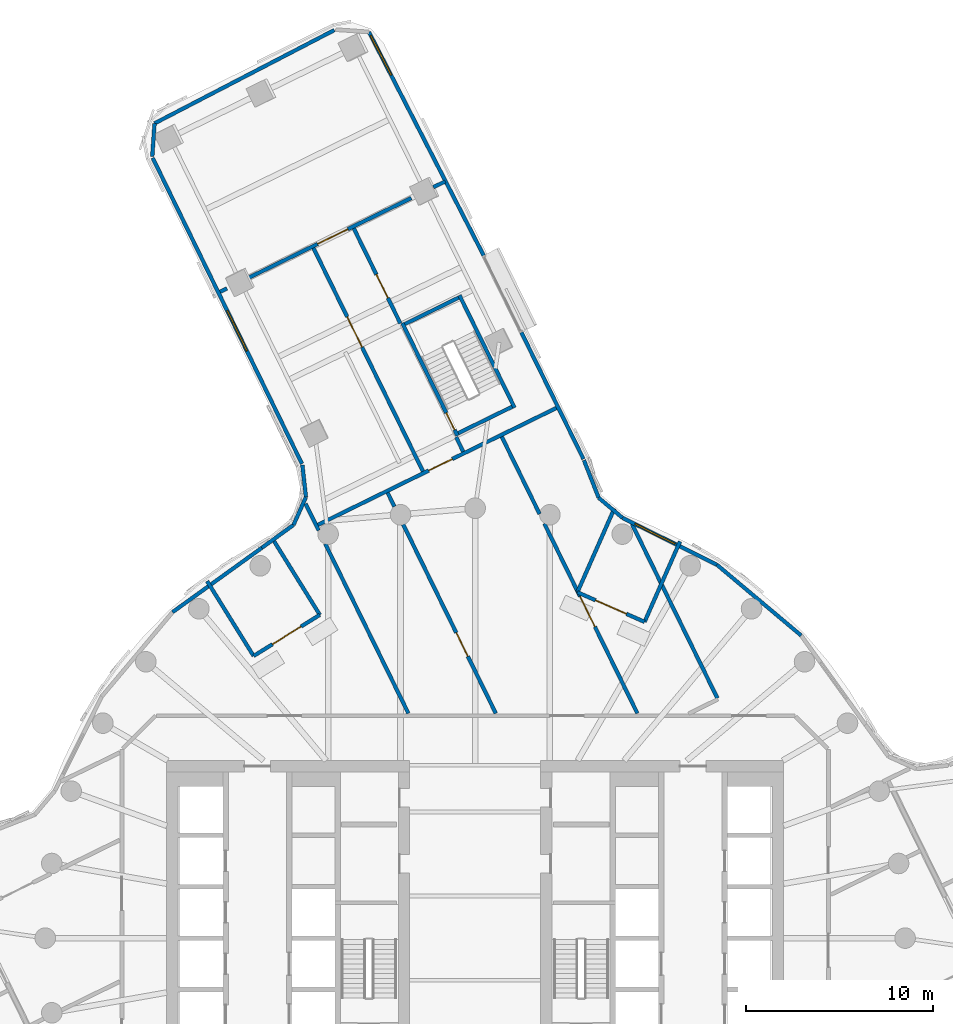
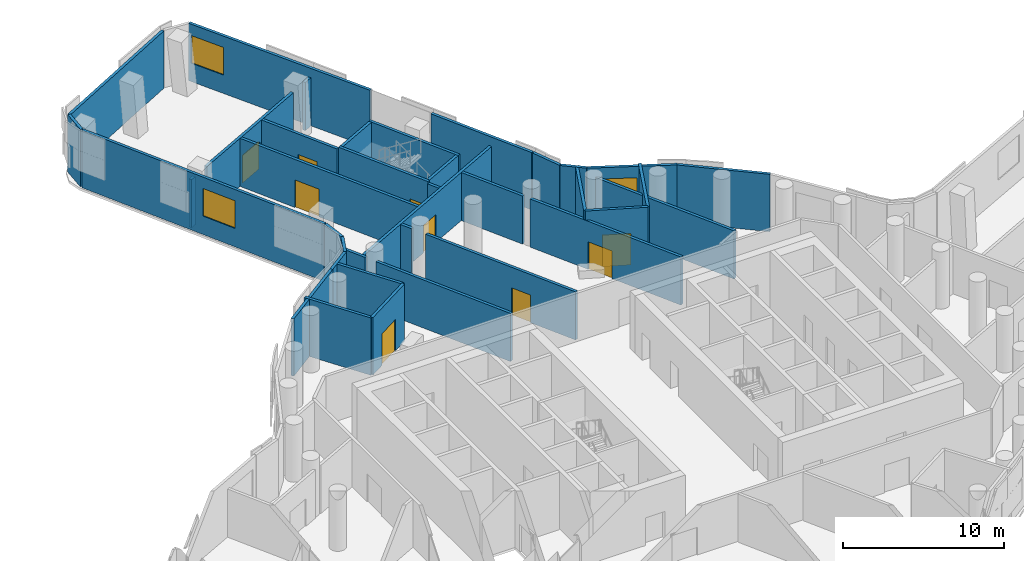
# One storey, part 15 of 23: 37 walls, 9 doors, 3 windows, 12 openings.
"""IFC4 building model written with IfcOpenShell, lengths in metres."""

from ifc_helpers import new_model, si_unit, direction, frame, frame_2d, origin, place, context, subcontext, project, spatial, polyline, rectangle, outline, extrude, material, layer, layer_set, type_object, element, fill, save


model = new_model("IFC4")

# Units and contexts
model_context = context("Model", 3, precision=1e-05, world=origin(), true_north=direction((0.0, 1.0)))
body_context = subcontext(model_context, "Body", "Model", "MODEL_VIEW")
ifc_project = project(units=[si_unit("LENGTHUNIT", "METRE"), si_unit("AREAUNIT", "SQUARE_METRE"), si_unit("VOLUMEUNIT", "CUBIC_METRE"), si_unit("PLANEANGLEUNIT", "RADIAN"), si_unit("MASSUNIT", "GRAM", prefix="KILO")], contexts=[model_context])

# Site, building, storey
site_placement = place(None, origin())
site = spatial("IfcSite", under=ifc_project, at=site_placement, CompositionType="ELEMENT")
building_placement = place(site_placement, origin())
building = spatial("IfcBuilding", under=site, at=building_placement, Name="Tamarind Cross Interchange Tower", CompositionType="ELEMENT")
storey_placement = place(building_placement, frame((0.0, 0.0, 128.5)))
storey = spatial("IfcBuildingStorey", under=building, at=storey_placement, Name="L31", CompositionType="ELEMENT", Elevation=128.5)

# Wall, opening, door
ifc_material_1 = material(Name="Concrete C40", Category="concrete")
ifc_layer_1 = layer(ifc_material_1, 0.199951171875)
ifc_layer_set_1 = layer_set([ifc_layer_1], Name="Concrete C40")
wall_type_1 = type_object("IfcWallType", Name="Balcony and garden door wall", PredefinedType="SOLIDWALL", material=ifc_layer_set_1)
wall_1_placement = place(storey_placement, frame((9.061279296875, 16.91796875, 0.0), z_axis=(0.0, 0.0, 1.0), x_axis=(-0.914869848832, 0.403748881978, 0.0)))
wall_1 = element("IfcWall", 1, at=wall_1_placement, inside=storey, type_object=wall_type_1, Name="EXW-L31-WG-L31-EN", PredefinedType="SOLIDWALL", context=body_context, shape_type="SweptSolid", body=[
    extrude(rectangle(XDim=3.9267578125, YDim=0.199951171875, at=frame_2d((1.96337890625, 0.0))), origin(), (0.0, 0.0, 1.0), 4.360107421875),
])
opening_1_placement = place(wall_1_placement, frame((1.0634765625, 0.0, 0.0)))
opening_1 = element("IfcOpeningElement", 2, at=opening_1_placement, cuts=wall_1, Name="Opening D5", PredefinedType="OPENING", context=body_context, shape_type="SweptSolid", body=[
    extrude(rectangle(XDim=1.800048828125, YDim=2.39990234375, at=frame_2d((0.89990234375, 1.199951171875))), frame((0.0, 0.10986328125, 0.0), z_axis=(0.0, -1.0, 0.0), x_axis=(1.0, 0.0, 0.0)), (0.0, 0.0, 1.0), 0.219970703125),
])
ifc_material_2 = material(Name="Aluminium and toughened glass", Category="aluminium")
door_type_1 = type_object("IfcDoorType", Name="Roof garden door", OperationType="DOUBLE_DOOR_SINGLE_SWING", PredefinedType="DOOR", material=ifc_material_2)
door_1_placement = place(opening_1_placement, origin())
door_1 = element("IfcDoor", 3, at=door_1_placement, inside=storey, type_object=door_type_1, Name="DOR-L31-WG-L31-EN", OperationType="SINGLE_SWING_LEFT", OverallHeight=2.39990234375, OverallWidth=1.800048828125, PredefinedType="DOOR", context=body_context, shape_type="SweptSolid", body=[
    extrude(rectangle(XDim=1.800048828125, YDim=2.39990234375, at=frame_2d((0.89990234375, 1.199951171875))), frame((0.0, 0.02490234375, 0.0), z_axis=(0.0, -1.0, 0.0), x_axis=(1.0, 0.0, 0.0)), (0.0, 0.0, 1.0), 0.050048828125),
])
fill(opening_1, door_1)

# Walls
wall_2_placement = place(storey_placement, frame((9.0615234375, 16.91796875, 0.0), z_axis=(0.0, 0.0, 1.0), x_axis=(0.403733506443, 0.914876634184, 0.0)))
element("IfcWall", 4, at=wall_2_placement, inside=storey, type_object=wall_type_1, Name="EXW-L31-WG-L31-EN-R0", PredefinedType="SOLIDWALL", context=body_context, shape_type="SweptSolid", body=[
    extrude(rectangle(XDim=4.702880859375, YDim=0.199951171875, at=frame_2d((2.3515625, 0.0))), origin(), (0.0, 0.0, 1.0), 4.360107421875),
])
wall_3_placement = place(storey_placement, frame((5.468505859375, 18.50341796875, 0.0), z_axis=(0.0, 0.0, 1.0), x_axis=(0.403691721509, 0.914895072664, 0.0)))
element("IfcWall", 5, at=wall_3_placement, inside=storey, type_object=wall_type_1, Name="EXW-L31-WG-L31-EN-R1", PredefinedType="SOLIDWALL", context=body_context, shape_type="SweptSolid", body=[
    extrude(rectangle(XDim=4.900390625, YDim=0.199951171875, at=frame_2d((2.4501953125, 0.0))), origin(), (0.0, 0.0, 1.0), 4.360107421875),
])

# Wall, opening, door
wall_4_placement = place(storey_placement, frame((-8.310791015625, 17.294677734375, 0.0), z_axis=(0.0, 0.0, 1.0), x_axis=(-0.849445624751, -0.52767616072, 0.0)))
wall_4 = element("IfcWall", 6, at=wall_4_placement, inside=storey, type_object=wall_type_1, Name="EXW-L31-WG-L31-NW", PredefinedType="SOLIDWALL", context=body_context, shape_type="SweptSolid", body=[
    extrude(rectangle(XDim=4.170166015625, YDim=0.199951171875, at=frame_2d((2.0849609375, 0.0))), origin(), (0.0, 0.0, 1.0), 4.360107421875),
])
opening_2_placement = place(wall_4_placement, frame((1.18505859375, 0.0, 0.0)))
opening_2 = element("IfcOpeningElement", 7, at=opening_2_placement, cuts=wall_4, Name="Opening D5", PredefinedType="OPENING", context=body_context, shape_type="SweptSolid", body=[
    extrude(rectangle(XDim=1.800048828125, YDim=2.39990234375, at=frame_2d((0.89990234375, 1.199951171875))), frame((0.0, 0.10986328125, 0.0), z_axis=(0.0, -1.0, 0.0), x_axis=(1.0, 0.0, 0.0)), (0.0, 0.0, 1.0), 0.219970703125),
])
door_2_placement = place(opening_2_placement, origin())
door_2 = element("IfcDoor", 8, at=door_2_placement, inside=storey, type_object=door_type_1, Name="DOR-L31-WG-L31-NW", OperationType="SINGLE_SWING_LEFT", OverallHeight=2.39990234375, OverallWidth=1.800048828125, PredefinedType="DOOR", context=body_context, shape_type="SweptSolid", body=[
    extrude(rectangle(XDim=1.800048828125, YDim=2.39990234375, at=frame_2d((0.89990234375, 1.199951171875))), frame((0.0, 0.02490234375, 0.0), z_axis=(0.0, -1.0, 0.0), x_axis=(1.0, 0.0, 0.0)), (0.0, 0.0, 1.0), 0.050048828125),
])
fill(opening_2, door_2)

# Walls
wall_5_placement = place(storey_placement, frame((-8.310791015625, 17.294677734375, 0.0), z_axis=(0.0, 0.0, 1.0), x_axis=(-0.527712449553, 0.84942308103, 0.0)))
element("IfcWall", 9, at=wall_5_placement, inside=storey, type_object=wall_type_1, Name="EXW-L31-WG-L31-NW-R0", PredefinedType="SOLIDWALL", context=body_context, shape_type="SweptSolid", body=[
    extrude(rectangle(XDim=4.745361328125, YDim=0.199951171875, at=frame_2d((2.37255859375, 0.0))), origin(), (0.0, 0.0, 1.0), 4.360107421875),
])
wall_6_placement = place(storey_placement, frame((-11.85302734375, 15.09423828125, 0.0), z_axis=(0.0, 0.0, 1.0), x_axis=(-0.527686600578, 0.849439139415, 0.0)))
element("IfcWall", 10, at=wall_6_placement, inside=storey, type_object=wall_type_1, Name="EXW-L31-WG-L31-NW-R1", PredefinedType="SOLIDWALL", context=body_context, shape_type="SweptSolid", body=[
    extrude(rectangle(XDim=4.711181640625, YDim=0.199951171875, at=frame_2d((2.35546875, 0.0))), origin(), (0.0, 0.0, 1.0), 4.360107421875),
])
ifc_material_3 = material(Name="Gypsum board partition on steel studs", Category="steel")
ifc_layer_2 = layer(ifc_material_3, 0.199951171875)
ifc_layer_set_2 = layer_set([ifc_layer_2], Name="Gypsum board partition on steel studs")
wall_type_2 = type_object("IfcWallType", Name="Partition 200 mm EI 180", PredefinedType="PARTITIONING", material=ifc_layer_set_2)
wall_7_placement = place(storey_placement, frame((-9.070556640625, 23.236083984375, 0.0), z_axis=(0.0, 0.0, 1.0), x_axis=(0.440237576132, -0.897881326547, 0.0)))
element("IfcWall", 11, at=wall_7_placement, inside=storey, type_object=wall_type_2, Name="Partition L31-006", PredefinedType="PARTITIONING", context=body_context, shape_type="SweptSolid", body=[
    extrude(rectangle(XDim=1.5849609375, YDim=0.199951171875, at=frame_2d((0.79248046875, 0.0))), origin(), (0.0, 0.0, 1.0), 3.659912109375),
])
wall_8_placement = place(storey_placement, frame((-8.020263671875, 21.093994140625, 0.0), z_axis=(0.0, 0.0, 1.0), x_axis=(0.440277206209, -0.897861894555, 0.0)))
element("IfcWall", 12, at=wall_8_placement, inside=storey, type_object=wall_type_2, Name="Partition L31-007", PredefinedType="PARTITIONING", context=body_context, shape_type="SweptSolid", body=[
    extrude(rectangle(XDim=10.099853515625, YDim=0.199951171875, at=frame_2d((5.0498046875, 0.0))), origin(), (0.0, 0.0, 1.0), 3.659912109375),
])

# Wall, opening, door
wall_9_placement = place(storey_placement, frame((-8.64990234375, 36.915283203125, 0.0), z_axis=(0.0, 0.0, 1.0), x_axis=(0.440298247992, -0.897851576161, 0.0)))
wall_9 = element("IfcWall", 13, at=wall_9_placement, inside=storey, type_object=wall_type_2, Name="Partition L31-010", PredefinedType="PARTITIONING", context=body_context, shape_type="SweptSolid", body=[
    extrude(rectangle(XDim=13.300048828125, YDim=0.199951171875, at=frame_2d((6.64990234375, 0.0))), origin(), (0.0, 0.0, 1.0), 3.659912109375),
])
opening_3_placement = place(wall_9_placement, frame((4.10009765625, 0.0, 0.0)))
opening_3 = element("IfcOpeningElement", 14, at=opening_3_placement, cuts=wall_9, Name="Opening D04", PredefinedType="OPENING", context=body_context, shape_type="SweptSolid", body=[
    extrude(rectangle(XDim=1.800048828125, YDim=2.10009765625, at=frame_2d((0.89990234375, 1.050048828125))), frame((0.0, 0.10986328125, 0.0), z_axis=(0.0, -1.0, 0.0), x_axis=(1.0, 0.0, 0.0)), (0.0, 0.0, 1.0), 0.219970703125),
])
ifc_material_4 = material(Name="Fire-resisting door set")
door_type_2 = type_object("IfcDoorType", Name="Interior door 1800 x 2100 FD120S", OperationType="DOUBLE_DOOR_SINGLE_SWING", PredefinedType="DOOR", material=ifc_material_4)
door_3_placement = place(opening_3_placement, frame((1.800048828125, 0.0, 0.0), z_axis=(0.0, 0.0, 1.0), x_axis=(-1.0, 0.0, 0.0)))
door_3 = element("IfcDoor", 15, at=door_3_placement, inside=storey, type_object=door_type_2, Name="Door D04", OperationType="DOUBLE_DOOR_SINGLE_SWING", OverallHeight=2.10009765625, OverallWidth=1.800048828125, PredefinedType="DOOR", context=body_context, shape_type="SweptSolid", body=[
    extrude(rectangle(XDim=1.800048828125, YDim=2.10009765625, at=frame_2d((0.89990234375, 1.050048828125))), frame((0.0, 0.02490234375, 0.0), z_axis=(0.0, -1.0, 0.0), x_axis=(1.0, 0.0, 0.0)), (0.0, 0.0, 1.0), 0.050048828125),
])
fill(opening_3, door_3)

wall_10_placement = place(storey_placement, frame((-6.4951171875, 37.97216796875, 0.0), z_axis=(0.0, 0.0, 1.0), x_axis=(0.440213125532, -0.897893314436, 0.0)))
wall_10 = element("IfcWall", 16, at=wall_10_placement, inside=storey, type_object=wall_type_2, Name="Partition L31-011", PredefinedType="PARTITIONING", context=body_context, shape_type="SweptSolid", body=[
    extrude(rectangle(XDim=5.66064453125, YDim=0.199951171875, at=frame_2d((2.830322265625, 0.0))), origin(), (0.0, 0.0, 1.0), 3.659912109375),
])
opening_4_placement = place(wall_10_placement, frame((2.75, 0.0, 0.0)))
opening_4 = element("IfcOpeningElement", 17, at=opening_4_placement, cuts=wall_10, Name="Opening D05", PredefinedType="OPENING", context=body_context, shape_type="SweptSolid", body=[
    extrude(rectangle(XDim=1.39990234375, YDim=2.10009765625, at=frame_2d((0.699951171875, 1.050048828125))), frame((0.0, 0.10986328125, 0.0), z_axis=(0.0, -1.0, 0.0), x_axis=(1.0, 0.0, 0.0)), (0.0, 0.0, 1.0), 0.219970703125),
])
door_type_3 = type_object("IfcDoorType", Name="Interior door 1400 x 2100 FD120S", OperationType="DOUBLE_DOOR_SINGLE_SWING", PredefinedType="DOOR", material=ifc_material_4)
door_4_placement = place(opening_4_placement, origin())
door_4 = element("IfcDoor", 18, at=door_4_placement, inside=storey, type_object=door_type_3, Name="Door D05", OperationType="DOUBLE_DOOR_SINGLE_SWING", OverallHeight=2.10009765625, OverallWidth=1.39990234375, PredefinedType="DOOR", context=body_context, shape_type="SweptSolid", body=[
    extrude(rectangle(XDim=1.39990234375, YDim=2.10009765625, at=frame_2d((0.699951171875, 1.050048828125))), frame((0.0, 0.02490234375, 0.0), z_axis=(0.0, -1.0, 0.0), x_axis=(1.0, 0.0, 0.0)), (0.0, 0.0, 1.0), 0.050048828125),
])
fill(opening_4, door_4)

# Walls
wall_11_placement = place(storey_placement, frame((-1.0185546875, 26.802001953125, 0.0), z_axis=(0.0, 0.0, 1.0), x_axis=(0.440273891661, -0.897863519874, 0.0)))
element("IfcWall", 19, at=wall_11_placement, inside=storey, type_object=wall_type_2, Name="Partition L31-012", PredefinedType="PARTITIONING", context=body_context, shape_type="SweptSolid", body=[
    extrude(rectangle(XDim=0.860107421875, YDim=0.199951171875, at=frame_2d((0.43017578125, 0.0))), origin(), (0.0, 0.0, 1.0), 3.659912109375),
])
wall_12_placement = place(storey_placement, frame((-4.681884765625, 23.8251953125, 0.0), z_axis=(0.0, 0.0, 1.0), x_axis=(0.440176037117, -0.897911496946, 0.0)))
element("IfcWall", 20, at=wall_12_placement, inside=storey, type_object=wall_type_2, Name="Partition L31-013", PredefinedType="PARTITIONING", context=body_context, shape_type="SweptSolid", body=[
    extrude(rectangle(XDim=0.8203125, YDim=0.199951171875, at=frame_2d((0.41015625, 0.0))), origin(), (0.0, 0.0, 1.0), 3.659912109375),
])

# Wall, opening, door
wall_13_placement = place(storey_placement, frame((-3.85009765625, 22.129150390625, 0.0), z_axis=(0.0, 0.0, 1.0), x_axis=(0.440292349425, -0.897854468741, 0.0)))
wall_13 = element("IfcWall", 21, at=wall_13_placement, inside=storey, type_object=wall_type_2, Name="Partition L31-014", PredefinedType="PARTITIONING", context=body_context, shape_type="SweptSolid", body=[
    extrude(rectangle(XDim=11.2529296875, YDim=0.199951171875, at=frame_2d((5.62646484375, 0.0))), origin(), (0.0, 0.0, 1.0), 3.659912109375),
])
opening_5_placement = place(wall_13_placement, frame((6.449951171875, 0.0, 0.0)))
opening_5 = element("IfcOpeningElement", 22, at=opening_5_placement, cuts=wall_13, Name="Opening D06", PredefinedType="OPENING", context=body_context, shape_type="SweptSolid", body=[
    extrude(rectangle(XDim=1.39990234375, YDim=2.10009765625, at=frame_2d((0.699951171875, 1.050048828125))), frame((0.0, 0.10986328125, 0.0), z_axis=(0.0, -1.0, 0.0), x_axis=(1.0, 0.0, 0.0)), (0.0, 0.0, 1.0), 0.219970703125),
])
door_5_placement = place(opening_5_placement, frame((1.39990234375, 0.0, 0.0), z_axis=(0.0, 0.0, 1.0), x_axis=(-1.0, 0.0, 0.0)))
door_5 = element("IfcDoor", 23, at=door_5_placement, inside=storey, type_object=door_type_3, Name="Door D06", OperationType="DOUBLE_DOOR_SINGLE_SWING", OverallHeight=2.10009765625, OverallWidth=1.39990234375, PredefinedType="DOOR", context=body_context, shape_type="SweptSolid", body=[
    extrude(rectangle(XDim=1.39990234375, YDim=2.10009765625, at=frame_2d((0.699951171875, 1.050048828125))), frame((0.0, 0.02490234375, 0.0), z_axis=(0.0, -1.0, 0.0), x_axis=(1.0, 0.0, 0.0)), (0.0, 0.0, 1.0), 0.050048828125),
])
fill(opening_5, door_5)

# Wall
wall_14_placement = place(storey_placement, frame((1.424072265625, 26.819091796875, 0.0), z_axis=(0.0, 0.0, 1.0), x_axis=(0.44020427787, -0.897897652155, 0.0)))
element("IfcWall", 24, at=wall_14_placement, inside=storey, type_object=wall_type_2, Name="Partition L31-020", PredefinedType="PARTITIONING", context=body_context, shape_type="SweptSolid", body=[
    extrude(rectangle(XDim=4.5927734375, YDim=0.199951171875, at=frame_2d((2.29638671875, 0.0))), origin(), (0.0, 0.0, 1.0), 3.659912109375),
])

# Wall, opening, door
wall_15_placement = place(storey_placement, frame((3.69775390625, 22.181640625, 0.0), z_axis=(0.0, 0.0, 1.0), x_axis=(0.440250027458, -0.897875221466, 0.0)))
wall_15 = element("IfcWall", 25, at=wall_15_placement, inside=storey, type_object=wall_type_2, Name="Partition L31-021", PredefinedType="PARTITIONING", context=body_context, shape_type="SweptSolid", body=[
    extrude(rectangle(XDim=11.31103515625, YDim=0.199951171875, at=frame_2d((5.655517578125, 0.0))), origin(), (0.0, 0.0, 1.0), 3.659912109375),
])
opening_6_placement = place(wall_15_placement, frame((4.35009765625, 0.0, 0.0)))
opening_6 = element("IfcOpeningElement", 26, at=opening_6_placement, cuts=wall_15, Name="Opening D11", PredefinedType="OPENING", context=body_context, shape_type="SweptSolid", body=[
    extrude(rectangle(XDim=1.800048828125, YDim=2.10009765625, at=frame_2d((0.89990234375, 1.050048828125))), frame((0.0, 0.10986328125, 0.0), z_axis=(0.0, -1.0, 0.0), x_axis=(1.0, 0.0, 0.0)), (0.0, 0.0, 1.0), 0.219970703125),
])
door_6_placement = place(opening_6_placement, origin())
door_6 = element("IfcDoor", 27, at=door_6_placement, inside=storey, type_object=door_type_2, Name="Door D11", OperationType="DOUBLE_DOOR_SINGLE_SWING", OverallHeight=2.10009765625, OverallWidth=1.800048828125, PredefinedType="DOOR", context=body_context, shape_type="SweptSolid", body=[
    extrude(rectangle(XDim=1.800048828125, YDim=2.10009765625, at=frame_2d((0.89990234375, 1.050048828125))), frame((0.0, 0.02490234375, 0.0), z_axis=(0.0, -1.0, 0.0), x_axis=(1.0, 0.0, 0.0)), (0.0, 0.0, 1.0), 0.050048828125),
])
fill(opening_6, door_6)

# Walls
wall_16_placement = place(storey_placement, frame((8.381591796875, 22.169921875, 0.0), z_axis=(0.0, 0.0, 1.0), x_axis=(0.44020582269, -0.897896894788, 0.0)))
element("IfcWall", 28, at=wall_16_placement, inside=storey, type_object=wall_type_2, Name="Partition L31-027", PredefinedType="PARTITIONING", context=body_context, shape_type="SweptSolid", body=[
    extrude(rectangle(XDim=10.402099609375, YDim=0.199951171875, at=frame_2d((5.201171875, 0.0))), origin(), (0.0, 0.0, 1.0), 3.659912109375),
])
wall_17_placement = place(storey_placement, frame((-13.644775390625, 34.57763671875, 0.0), z_axis=(0.0, 0.0, 1.0), x_axis=(0.897995038832, 0.440005579775, 0.0)))
element("IfcWall", 29, at=wall_17_placement, inside=storey, type_object=wall_type_2, Name="Partition L31-046", PredefinedType="PARTITIONING", context=body_context, shape_type="SweptSolid", body=[
    extrude(rectangle(XDim=0.4072265625, YDim=0.199951171875, at=frame_2d((0.20361328125, 0.0))), origin(), (0.0, 0.0, 1.0), 3.659912109375),
])

# Wall, opening, door
wall_18_placement = place(storey_placement, frame((-12.097900390625, 35.336181640625, 0.0), z_axis=(0.0, 0.0, 1.0), x_axis=(0.897885682266, 0.440228692366, 0.0)))
wall_18 = element("IfcWall", 30, at=wall_18_placement, inside=storey, type_object=wall_type_2, Name="Partition L31-047", PredefinedType="PARTITIONING", context=body_context, shape_type="SweptSolid", body=[
    extrude(rectangle(XDim=9.665771484375, YDim=0.199951171875, at=frame_2d((4.8330078125, 0.0))), origin(), (0.0, 0.0, 1.0), 3.659912109375),
])
opening_7_placement = place(wall_18_placement, frame((4.0908203125, 0.0, 0.0)))
opening_7 = element("IfcOpeningElement", 31, at=opening_7_placement, cuts=wall_18, Name="Opening D26", PredefinedType="OPENING", context=body_context, shape_type="SweptSolid", body=[
    extrude(rectangle(XDim=1.800048828125, YDim=2.10009765625, at=frame_2d((0.89990234375, 1.050048828125))), frame((0.0, 0.10986328125, 0.0), z_axis=(0.0, -1.0, 0.0), x_axis=(1.0, 0.0, 0.0)), (0.0, 0.0, 1.0), 0.219970703125),
])
door_7_placement = place(opening_7_placement, origin())
door_7 = element("IfcDoor", 32, at=door_7_placement, inside=storey, type_object=door_type_2, Name="Door D26", OperationType="DOUBLE_DOOR_SINGLE_SWING", OverallHeight=2.10009765625, OverallWidth=1.800048828125, PredefinedType="DOOR", context=body_context, shape_type="SweptSolid", body=[
    extrude(rectangle(XDim=1.800048828125, YDim=2.10009765625, at=frame_2d((0.89990234375, 1.050048828125))), frame((0.0, 0.02490234375, 0.0), z_axis=(0.0, -1.0, 0.0), x_axis=(1.0, 0.0, 0.0)), (0.0, 0.0, 1.0), 0.050048828125),
])
fill(opening_7, door_7)

# Wall
wall_19_placement = place(storey_placement, frame((-2.236572265625, 40.171142578125, 0.0), z_axis=(0.0, 0.0, 1.0), x_axis=(0.897920722727, 0.440157217023, 0.0)))
element("IfcWall", 33, at=wall_19_placement, inside=storey, type_object=wall_type_2, Name="Partition L31-048", PredefinedType="PARTITIONING", context=body_context, shape_type="SweptSolid", body=[
    extrude(rectangle(XDim=0.707275390625, YDim=0.199951171875, at=frame_2d((0.353515625, 0.0))), origin(), (0.0, 0.0, 1.0), 3.659912109375),
])

# Wall, opening, door
wall_20_placement = place(storey_placement, frame((-8.4072265625, 22.110107421875, 0.0), z_axis=(0.0, 0.0, 1.0), x_axis=(0.897880211861, 0.440239849569, 0.0)))
wall_20 = element("IfcWall", 34, at=wall_20_placement, inside=storey, type_object=wall_type_2, Name="Partition L31-050", PredefinedType="PARTITIONING", context=body_context, shape_type="SweptSolid", body=[
    extrude(rectangle(XDim=14.198974609375, YDim=0.199951171875, at=frame_2d((7.099609375, 0.0))), origin(), (0.0, 0.0, 1.0), 3.659912109375),
])
opening_8_placement = place(wall_20_placement, frame((6.6005859375, 0.0, 0.0)))
opening_8 = element("IfcOpeningElement", 35, at=opening_8_placement, cuts=wall_20, Name="Opening D27", PredefinedType="OPENING", context=body_context, shape_type="SweptSolid", body=[
    extrude(rectangle(XDim=1.39990234375, YDim=2.10009765625, at=frame_2d((0.699951171875, 1.050048828125))), frame((0.0, 0.10986328125, 0.0), z_axis=(0.0, -1.0, 0.0), x_axis=(1.0, 0.0, 0.0)), (0.0, 0.0, 1.0), 0.219970703125),
])
door_8_placement = place(opening_8_placement, frame((1.39990234375, 0.0, 0.0), z_axis=(0.0, 0.0, 1.0), x_axis=(-1.0, 0.0, 0.0)))
door_8 = element("IfcDoor", 36, at=door_8_placement, inside=storey, type_object=door_type_3, Name="Door D27", OperationType="DOUBLE_DOOR_SINGLE_SWING", OverallHeight=2.10009765625, OverallWidth=1.39990234375, PredefinedType="DOOR", context=body_context, shape_type="SweptSolid", body=[
    extrude(rectangle(XDim=1.39990234375, YDim=2.10009765625, at=frame_2d((0.699951171875, 1.050048828125))), frame((0.0, 0.02490234375, 0.0), z_axis=(0.0, -1.0, 0.0), x_axis=(1.0, 0.0, 0.0)), (0.0, 0.0, 1.0), 0.050048828125),
])
fill(opening_8, door_8)

# Wall
ifc_material_5 = material(Name="Precast concrete C40", Category="concrete")
ifc_layer_3 = layer(ifc_material_5, 0.199951171875)
ifc_layer_set_3 = layer_set([ifc_layer_3], Name="Precast concrete C40")
wall_type_3 = type_object("IfcWallType", Name="Refuge level external wall", PredefinedType="SOLIDWALL", material=ifc_layer_set_3)
wall_21_placement = place(storey_placement, frame((17.4375, 16.191650390625, 0.0), z_axis=(0.0, 0.0, 1.0), x_axis=(-0.765856810589, 0.643011155171, 0.0)))
element("IfcWall", 37, at=wall_21_placement, inside=storey, type_object=wall_type_3, Name="RFW-L31-10-04", PredefinedType="SOLIDWALL", context=body_context, shape_type="SweptSolid", body=[
    extrude(rectangle(XDim=5.88671875, YDim=0.199951171875, at=frame_2d((2.943359375, 0.0))), origin(), (0.0, 0.0, 1.0), 4.360107421875),
])

# Wall, opening, window
wall_22_placement = place(storey_placement, frame((12.92919921875, 19.976806640625, 0.0), z_axis=(0.0, 0.0, 1.0), x_axis=(-0.895567986727, 0.444924691548, 0.0)))
wall_22 = element("IfcWall", 38, at=wall_22_placement, inside=storey, type_object=wall_type_3, Name="RFW-L31-10-05", PredefinedType="SOLIDWALL", context=body_context, shape_type="SweptSolid", body=[
    extrude(rectangle(XDim=5.635498046875, YDim=0.199951171875, at=frame_2d((2.81787109375, 0.0))), origin(), (0.0, 0.0, 1.0), 4.360107421875),
])
opening_9_placement = place(wall_22_placement, frame((2.5, 0.0, 1.39990234375)))
opening_9 = element("IfcOpeningElement", 39, at=opening_9_placement, cuts=wall_22, Name="Opening W3", PredefinedType="OPENING", context=body_context, shape_type="SweptSolid", body=[
    extrude(rectangle(XDim=2.39990234375, YDim=2.10009765625, at=frame_2d((1.199951171875, 1.050048828125))), frame((0.0, 0.10986328125, 0.0), z_axis=(0.0, -1.0, 0.0), x_axis=(1.0, 0.0, 0.0)), (0.0, 0.0, 1.0), 0.219970703125),
])
ifc_material_6 = material(Name="Aluminium and fire-resisting glass", Category="aluminium")
window_type = type_object("IfcWindowType", Name="Refuge rescue window", PartitioningType="DOUBLE_PANEL_VERTICAL", PredefinedType="WINDOW", material=ifc_material_6)
window_1_placement = place(opening_9_placement, origin())
window_1 = element("IfcWindow", 40, at=window_1_placement, inside=storey, type_object=window_type, Name="RSW-L31-10-00", OverallHeight=2.10009765625, OverallWidth=2.39990234375, PartitioningType="SINGLE_PANEL", PredefinedType="WINDOW", context=body_context, shape_type="SweptSolid", body=[
    extrude(rectangle(XDim=2.39990234375, YDim=2.10009765625, at=frame_2d((1.199951171875, 1.050048828125))), frame((0.0, 0.030029296875, 0.0), z_axis=(0.0, -1.0, 0.0), x_axis=(1.0, 0.0, 0.0)), (0.0, 0.0, 1.0), 0.06005859375),
])
fill(opening_9, window_1)

# Walls
wall_23_placement = place(storey_placement, frame((7.88232421875, 22.484130859375, 0.0), z_axis=(0.0, 0.0, 1.0), x_axis=(-0.765040402091, 0.643982284825, 0.0)))
element("IfcWall", 41, at=wall_23_placement, inside=storey, type_object=wall_type_3, Name="RFW-L31-10-06", PredefinedType="SOLIDWALL", context=body_context, shape_type="SweptSolid", body=[
    extrude(rectangle(XDim=1.665771484375, YDim=0.199951171875, at=frame_2d((0.8330078125, 0.0))), origin(), (0.0, 0.0, 1.0), 4.360107421875),
])
wall_24_placement = place(storey_placement, frame((6.60791015625, 23.556884765625, 0.0), z_axis=(0.0, 0.0, 1.0), x_axis=(-0.364931951145, 0.931034194342, 0.0)))
element("IfcWall", 42, at=wall_24_placement, inside=storey, type_object=wall_type_3, Name="RFW-L31-10-07", PredefinedType="SOLIDWALL", context=body_context, shape_type="SweptSolid", body=[
    extrude(rectangle(XDim=2.16015625, YDim=0.199951171875, at=frame_2d((1.080078125, 0.0))), origin(), (0.0, 0.0, 1.0), 4.360107421875),
])
wall_25_placement = place(storey_placement, frame((5.79248046875, 25.63232421875, 0.0), z_axis=(0.0, 0.0, 1.0), x_axis=(-0.440253838477, 0.897873352821, 0.0)))
element("IfcWall", 43, at=wall_25_placement, inside=storey, type_object=wall_type_3, Name="RFW-L31-11-00", PredefinedType="SOLIDWALL", context=body_context, shape_type="SweptSolid", body=[
    extrude(rectangle(XDim=7.549560546875, YDim=0.199951171875, at=frame_2d((3.77490234375, 0.0))), origin(), (0.0, 0.0, 1.0), 4.360107421875),
])

# Wall, opening, window
wall_26_placement = place(storey_placement, frame((0.455322265625, 36.516845703125, 0.0), z_axis=(0.0, 0.0, 1.0), x_axis=(-0.456688565202, 0.889626637649, 0.0)))
wall_26 = element("IfcWall", 44, at=wall_26_placement, inside=storey, type_object=wall_type_3, Name="RFW-L31-11-10", PredefinedType="SOLIDWALL", context=body_context, shape_type="SweptSolid", body=[
    extrude(rectangle(XDim=13.445556640625, YDim=0.199951171875, at=frame_2d((6.72265625, 0.0))), origin(), (0.0, 0.0, 1.0), 4.360107421875),
])
opening_10_placement = place(wall_26_placement, frame((10.845458984375, 0.0, 1.39990234375)))
opening_10 = element("IfcOpeningElement", 45, at=opening_10_placement, cuts=wall_26, Name="Opening W3", PredefinedType="OPENING", context=body_context, shape_type="SweptSolid", body=[
    extrude(rectangle(XDim=2.39990234375, YDim=2.10009765625, at=frame_2d((1.199951171875, 1.050048828125))), frame((0.0, 0.10986328125, 0.0), z_axis=(0.0, -1.0, 0.0), x_axis=(1.0, 0.0, 0.0)), (0.0, 0.0, 1.0), 0.219970703125),
])
window_2_placement = place(opening_10_placement, origin())
window_2 = element("IfcWindow", 46, at=window_2_placement, inside=storey, type_object=window_type, Name="RSW-L31-11-05", OverallHeight=2.10009765625, OverallWidth=2.39990234375, PartitioningType="SINGLE_PANEL", PredefinedType="WINDOW", context=body_context, shape_type="SweptSolid", body=[
    extrude(rectangle(XDim=2.39990234375, YDim=2.10009765625, at=frame_2d((1.199951171875, 1.050048828125))), frame((0.0, 0.030029296875, 0.0), z_axis=(0.0, -1.0, 0.0), x_axis=(1.0, 0.0, 0.0)), (0.0, 0.0, 1.0), 0.06005859375),
])
fill(opening_10, window_2)

# Walls
wall_27_placement = place(storey_placement, frame((-7.536376953125, 48.57666015625, 0.0), z_axis=(0.0, 0.0, 1.0), x_axis=(-0.887596553779, -0.460621707825, 0.0)))
element("IfcWall", 47, at=wall_27_placement, inside=storey, type_object=wall_type_3, Name="RFW-L31-12-00", PredefinedType="SOLIDWALL", context=body_context, shape_type="SweptSolid", body=[
    extrude(rectangle(XDim=10.833251953125, YDim=0.199951171875, at=frame_2d((5.41650390625, 0.0))), origin(), (0.0, 0.0, 1.0), 4.360107421875),
])
wall_28_placement = place(storey_placement, frame((-17.15185546875, 43.586669921875, 0.0), z_axis=(0.0, 0.0, 1.0), x_axis=(-0.069376144823, -0.997590572595, 0.0)))
element("IfcWall", 48, at=wall_28_placement, inside=storey, type_object=wall_type_3, Name="RFW-L31-12-01", PredefinedType="SOLIDWALL", context=body_context, shape_type="SweptSolid", body=[
    extrude(rectangle(XDim=1.78076171875, YDim=0.199951171875, at=frame_2d((0.890380859375, 0.0))), origin(), (0.0, 0.0, 1.0), 4.360107421875),
])

# Wall, opening, window
wall_29_placement = place(storey_placement, frame((-17.250244140625, 41.735107421875, 0.0), z_axis=(0.0, 0.0, 1.0), x_axis=(0.43857585016, -0.898694176935, 0.0)))
wall_29 = element("IfcWall", 49, at=wall_29_placement, inside=storey, type_object=wall_type_3, Name="RFW-L31-13-00", PredefinedType="SOLIDWALL", context=body_context, shape_type="SweptSolid", body=[
    extrude(rectangle(XDim=18.20068359375, YDim=0.199951171875, at=frame_2d((9.100341796875, 0.0))), origin(), (0.0, 0.0, 1.0), 4.360107421875),
])
opening_11_placement = place(wall_29_placement, frame((9.090576171875, 0.0, 1.39990234375)))
opening_11 = element("IfcOpeningElement", 50, at=opening_11_placement, cuts=wall_29, Name="Opening W3", PredefinedType="OPENING", context=body_context, shape_type="SweptSolid", body=[
    extrude(rectangle(XDim=2.39990234375, YDim=2.10009765625, at=frame_2d((1.199951171875, 1.050048828125))), frame((0.0, 0.10986328125, 0.0), z_axis=(0.0, -1.0, 0.0), x_axis=(1.0, 0.0, 0.0)), (0.0, 0.0, 1.0), 0.219970703125),
])
window_3_placement = place(opening_11_placement, origin())
window_3 = element("IfcWindow", 51, at=window_3_placement, inside=storey, type_object=window_type, Name="RSW-L31-13-02", OverallHeight=2.10009765625, OverallWidth=2.39990234375, PartitioningType="SINGLE_PANEL", PredefinedType="WINDOW", context=body_context, shape_type="SweptSolid", body=[
    extrude(rectangle(XDim=2.39990234375, YDim=2.10009765625, at=frame_2d((1.199951171875, 1.050048828125))), frame((0.0, 0.030029296875, 0.0), z_axis=(0.0, -1.0, 0.0), x_axis=(1.0, 0.0, 0.0)), (0.0, 0.0, 1.0), 0.06005859375),
])
fill(opening_11, window_3)

# Walls
wall_30_placement = place(storey_placement, frame((-9.244384765625, 25.31298828125, 0.0), z_axis=(0.0, 0.0, 1.0), x_axis=(0.109471500068, -0.993989934895, 0.0)))
element("IfcWall", 52, at=wall_30_placement, inside=storey, type_object=wall_type_3, Name="RFW-L31-14-00", PredefinedType="SOLIDWALL", context=body_context, shape_type="SweptSolid", body=[
    extrude(rectangle(XDim=1.730712890625, YDim=0.199951171875, at=frame_2d((0.865234375, 0.0))), origin(), (0.0, 0.0, 1.0), 4.360107421875),
])
wall_31_placement = place(storey_placement, frame((-9.054931640625, 23.5927734375, 0.0), z_axis=(0.0, 0.0, 1.0), x_axis=(-0.407568379485, -0.913174690869, 0.0)))
element("IfcWall", 53, at=wall_31_placement, inside=storey, type_object=wall_type_3, Name="RFW-L31-14-01", PredefinedType="SOLIDWALL", context=body_context, shape_type="SweptSolid", body=[
    extrude(rectangle(XDim=1.631103515625, YDim=0.199951171875, at=frame_2d((0.8154296875, 0.0))), origin(), (0.0, 0.0, 1.0), 4.360107421875),
])
wall_32_placement = place(storey_placement, frame((-9.7197265625, 22.103271484375, 0.0), z_axis=(0.0, 0.0, 1.0), x_axis=(-0.810756201685, -0.585383960687, 0.0)))
element("IfcWall", 54, at=wall_32_placement, inside=storey, type_object=wall_type_3, Name="RFW-L31-14-02", PredefinedType="SOLIDWALL", context=body_context, shape_type="SweptSolid", body=[
    extrude(rectangle(XDim=2.0908203125, YDim=0.199951171875, at=frame_2d((1.04541015625, 0.0))), origin(), (0.0, 0.0, 1.0), 4.360107421875),
])
wall_33_placement = place(storey_placement, frame((-11.414794921875, 20.87939453125, 0.0), z_axis=(0.0, 0.0, 1.0), x_axis=(-0.811328226988, -0.584590889506, 0.0)))
element("IfcWall", 55, at=wall_33_placement, inside=storey, type_object=wall_type_3, Name="RFW-L31-14-03", PredefinedType="SOLIDWALL", context=body_context, shape_type="SweptSolid", body=[
    extrude(rectangle(XDim=5.8876953125, YDim=0.199951171875, at=frame_2d((2.94384765625, 0.0))), origin(), (0.0, 0.0, 1.0), 4.360107421875),
])

# Wall, opening, door
ifc_layer_4 = layer(ifc_material_1, 0.199951171875)
ifc_layer_set_4 = layer_set([ifc_layer_4], Name="Concrete C40")
wall_type_4 = type_object("IfcWallType", Name="Stair shaft wall 200 mm Concrete C40", PredefinedType="SHEAR", material=ifc_layer_set_4)
wall_34_placement = place(storey_placement, frame((-0.946044921875, 26.882080078125, -0.179931640625), z_axis=(0.0, 0.0, 1.0), x_axis=(-0.440247655443, 0.897876384519, 0.0)))
wall_34 = element("IfcWall", 56, at=wall_34_placement, inside=storey, type_object=wall_type_4, Name="Core wall CWL-L31-ST4-H", PredefinedType="SHEAR", context=body_context, shape_type="SweptSolid", body=[
    extrude(rectangle(XDim=6.7001953125, YDim=0.199951171875, at=frame_2d((3.35009765625, 0.0))), origin(), (0.0, 0.0, 1.0), 3.93994140625),
])
opening_12_placement = place(wall_34_placement, frame((0.35009765625, 0.0, 0.0)))
opening_12 = element("IfcOpeningElement", 57, at=opening_12_placement, cuts=wall_34, Name="Opening ST4L31", PredefinedType="OPENING", context=body_context, shape_type="SweptSolid", body=[
    extrude(rectangle(XDim=1.0, YDim=2.10009765625, at=frame_2d((0.5, 1.050048828125))), frame((0.0, 0.10986328125, 0.0), z_axis=(0.0, -1.0, 0.0), x_axis=(1.0, 0.0, 0.0)), (0.0, 0.0, 1.0), 0.219970703125),
])
ifc_material_7 = material(Name="Steel, fire-resisting", Category="steel")
door_type_4 = type_object("IfcDoorType", Name="Core fire door 1000 x 2100 FD90", OperationType="SINGLE_SWING_LEFT", PredefinedType="DOOR", material=ifc_material_7)
door_9_placement = place(opening_12_placement, origin())
door_9 = element("IfcDoor", 58, at=door_9_placement, inside=storey, type_object=door_type_4, Name="L31 stair door ST4", OperationType="SINGLE_SWING_LEFT", OverallHeight=2.10009765625, OverallWidth=1.0, PredefinedType="DOOR", context=body_context, shape_type="SweptSolid", body=[
    extrude(rectangle(XDim=1.0, YDim=2.10009765625, at=frame_2d((0.5, 1.050048828125))), frame((0.0, 0.02490234375, 0.0), z_axis=(0.0, -1.0, 0.0), x_axis=(1.0, 0.0, 0.0)), (0.0, 0.0, 1.0), 0.050048828125),
])
fill(opening_12, door_9)

# Walls
wall_35_placement = place(storey_placement, frame((2.106689453125, 28.37890625, -0.179931640625), z_axis=(0.0, 0.0, 1.0), x_axis=(-0.440247655443, 0.897876384519, 0.0)))
element("IfcWall", 59, at=wall_35_placement, inside=storey, type_object=wall_type_4, Name="Core wall CWL-L31-ST4-C", PredefinedType="SHEAR", context=body_context, shape_type="SweptSolid", body=[
    extrude(rectangle(XDim=6.7001953125, YDim=0.199951171875, at=frame_2d((3.35009765625, 0.0))), origin(), (0.0, 0.0, 1.0), 3.93994140625),
])
wall_36_placement = place(storey_placement, frame((1.972900390625, 28.4248046875, -0.179931640625), z_axis=(0.0, 0.0, 1.0), x_axis=(-0.897849168757, -0.440303157112, 0.0)))
element("IfcWall", 60, at=wall_36_placement, inside=storey, type_object=wall_type_4, Name="Core wall CWL-L31-ST4-CE", PredefinedType="SHEAR", context=body_context, shape_type="SweptSolid", body=[
    extrude(rectangle(XDim=3.199951171875, YDim=0.199951171875, at=frame_2d((1.60009765625, 0.0))), origin(), (0.0, 0.0, 1.0), 3.93994140625),
])
wall_37_placement = place(storey_placement, frame((0.0, 0.0, -0.179931640625)))
element("IfcWall", 61, at=wall_37_placement, inside=storey, type_object=wall_type_4, Name="Core wall CWL-L31-ST4-CF", PredefinedType="SHEAR", context=body_context, shape_type="SweptSolid", body=[
    extrude(outline(polyline([(-0.844482421875, 34.171142578125), (-0.9326171875, 34.3505859375), (-3.805908203125, 32.94189453125), (-3.7177734375, 32.76220703125), (-0.844482421875, 34.171142578125)])), origin(), (0.0, 0.0, 1.0), 3.93994140625),
])

save(model, "model.ifc")
